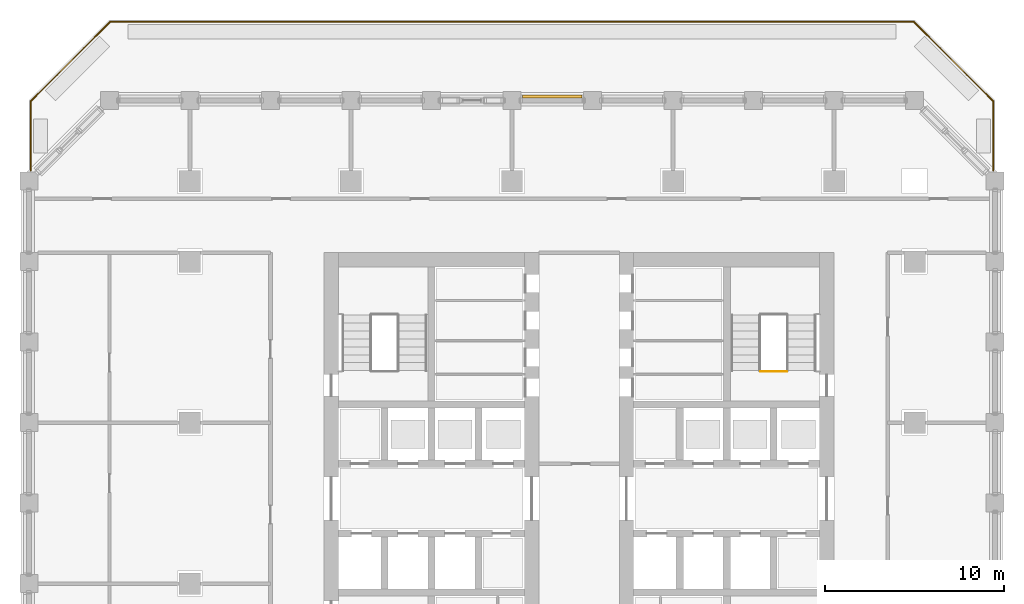
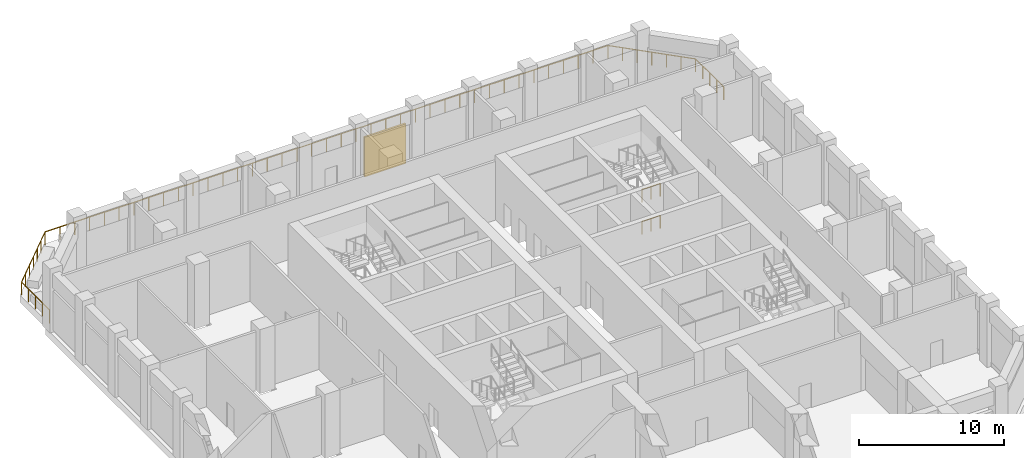
# One storey, part 17 of 20: 3 railings, 1 shading device.
"""IFC4 building model written with IfcOpenShell, lengths in metres."""

from ifc_helpers import new_model, si_unit, direction, frame, origin, origin_2d, place, context, subcontext, project, spatial, rectangle, circle, extrude, material, layer, layer_set, type_object, element, save


model = new_model("IFC4")

# Units and contexts
model_context = context("Model", 3, precision=1e-05, world=origin(), true_north=direction((0.0, 1.0)))
body_context = subcontext(model_context, "Body", "Model", "MODEL_VIEW")
ifc_project = project(units=[si_unit("LENGTHUNIT", "METRE"), si_unit("AREAUNIT", "SQUARE_METRE"), si_unit("VOLUMEUNIT", "CUBIC_METRE"), si_unit("PLANEANGLEUNIT", "RADIAN"), si_unit("MASSUNIT", "GRAM", prefix="KILO")], contexts=[model_context])

# Site, building, storey
site_placement = place(None, origin())
site = spatial("IfcSite", under=ifc_project, at=site_placement, CompositionType="ELEMENT")
building_placement = place(site_placement, origin())
building = spatial("IfcBuilding", under=site, at=building_placement, Name="Corbel Stack Research Tower", CompositionType="ELEMENT")
storey_placement = place(building_placement, frame((0.0, 0.0, 151.39990234375)))
storey = spatial("IfcBuildingStorey", under=building, at=storey_placement, Name="L34", CompositionType="ELEMENT", Elevation=151.39990234375)

# Shading device
ifc_material_1 = material(Name="Aluminium louvre", Category="aluminium")
ifc_layer = layer(ifc_material_1, 0.14990234375)
ifc_layer_set = layer_set([ifc_layer], Name="Aluminium louvre")
shading_device_type = type_object("IfcShadingDeviceType", Name="Plant louvre 150", PredefinedType="USERDEFINED", material=ifc_layer_set)
shading_device_placement = place(storey_placement, frame((2.25, 27.22509765625, 0.199951171875), z_axis=(0.0, 0.0, 1.0), x_axis=(-1.0, 0.0, 0.0)))
element("IfcShadingDevice", 1, at=shading_device_placement, inside=storey, type_object=shading_device_type, Name="Plant louvre L34 N05", ObjectType="LOUVRE", PredefinedType="USERDEFINED", context=body_context, shape_type="SweptSolid", body=[
    extrude(rectangle(XDim=3.300048828125, YDim=0.14990234375, at=origin_2d()), origin(), (0.0, 0.0, 1.0), 3.35009765625),
])

# Railings
ifc_material_2 = material(Name="Steel S355", Category="steel")
railing_type_1 = type_object("IfcRailingType", Name="Stair guard 1100", PredefinedType="GUARDRAIL", material=ifc_material_2)
for number, where, name in (
    (2, (15.35009765625, 11.85009765625, 2.7001953125), "L34 ST-E2 stair guard 5"),
    (3, (15.35009765625, 11.85009765625, 0.0), "L34 ST-E2 stair guard 11"),
):
    element("IfcRailing", number, at=place(storey_placement, frame(where)), inside=storey, type_object=railing_type_1, Name=name, PredefinedType="GUARDRAIL", context=body_context, shape_type="SweptSolid", body=[
        extrude(circle(Radius=0.02392578125, at=origin_2d()), frame((0.0, 0.0, 1.076171875), z_axis=(-1.0, 0.0, 0.0), x_axis=(0.0, -1.0, 0.0)), (0.0, 0.0, 1.0), 1.4501953125),
        extrude(circle(Radius=0.02099609375, at=origin_2d()), origin(), (0.0, 0.0, 1.0), 1.052001953125),
        extrude(circle(Radius=0.02099609375, at=origin_2d()), frame((-0.72509765625, 0.0, 0.0)), (0.0, 0.0, 1.0), 1.052001953125),
        extrude(circle(Radius=0.02099609375, at=origin_2d()), frame((-1.4501953125, 0.0, 0.0)), (0.0, 0.0, 1.0), 1.052001953125),
    ])
ifc_material_3 = material(Name="Powder-coated steel guard", Category="steel")
railing_type_2 = type_object("IfcRailingType", Name="Steel and glass guard 1100", PredefinedType="GUARDRAIL", material=ifc_material_3)
railing_placement = place(storey_placement, frame((-26.89990234375, 23.07421875, 0.0)))
element("IfcRailing", 4, at=railing_placement, inside=storey, type_object=railing_type_2, Name="Terrace guard L34", PredefinedType="GUARDRAIL", context=body_context, shape_type="SweptSolid", body=[
    extrude(circle(Radius=0.02392578125, at=origin_2d()), frame((0.0, 0.0, 1.076171875), z_axis=(0.0, 1.0, 0.0), x_axis=(-1.0, 0.0, 0.0)), (0.0, 0.0, 1.0), 3.88427734375),
    extrude(circle(Radius=0.02392578125, at=origin_2d()), frame((0.0, 3.88427734375, 1.076171875), z_axis=(0.707106781187, 0.707106781187, 0.0), x_axis=(-0.707106781187, 0.707106781187, 0.0)), (0.0, 0.0, 1.0), 6.281005859375),
    extrude(circle(Radius=0.02392578125, at=origin_2d()), frame((4.44140625, 8.32568359375, 1.076171875), z_axis=(1.0, 0.0, 0.0), x_axis=(0.0, 1.0, 0.0)), (0.0, 0.0, 1.0), 44.9169921875),
    extrude(circle(Radius=0.02392578125, at=origin_2d()), frame((49.3583984375, 8.32568359375, 1.076171875), z_axis=(0.707106781187, -0.707106781187, 0.0), x_axis=(0.707106781187, 0.707106781187, 0.0)), (0.0, 0.0, 1.0), 6.281005859375),
    extrude(circle(Radius=0.02392578125, at=origin_2d()), frame((53.7998046875, 3.88427734375, 1.076171875), z_axis=(0.0, -1.0, 0.0), x_axis=(1.0, 0.0, 0.0)), (0.0, 0.0, 1.0), 3.88427734375),
    extrude(circle(Radius=0.02099609375, at=origin_2d()), origin(), (0.0, 0.0, 1.0), 1.052001953125),
    extrude(circle(Radius=0.02099609375, at=origin_2d()), frame((0.0, 0.97119140625, 0.0)), (0.0, 0.0, 1.0), 1.052001953125),
    extrude(circle(Radius=0.02099609375, at=origin_2d()), frame((0.0, 1.942138671875, 0.0)), (0.0, 0.0, 1.0), 1.052001953125),
    extrude(circle(Radius=0.02099609375, at=origin_2d()), frame((0.0, 2.9130859375, 0.0)), (0.0, 0.0, 1.0), 1.052001953125),
    extrude(circle(Radius=0.02099609375, at=origin_2d()), frame((0.0, 3.88427734375, 0.0)), (0.0, 0.0, 1.0), 1.052001953125),
    extrude(circle(Radius=0.02099609375, at=origin_2d()), frame((0.740234375, 4.62451171875, 0.0)), (0.0, 0.0, 1.0), 1.052001953125),
    extrude(circle(Radius=0.02099609375, at=origin_2d()), frame((1.48046875, 5.36474609375, 0.0)), (0.0, 0.0, 1.0), 1.052001953125),
    extrude(circle(Radius=0.02099609375, at=origin_2d()), frame((2.220703125, 6.10498046875, 0.0)), (0.0, 0.0, 1.0), 1.052001953125),
    extrude(circle(Radius=0.02099609375, at=origin_2d()), frame((2.9609375, 6.84521484375, 0.0)), (0.0, 0.0, 1.0), 1.052001953125),
    extrude(circle(Radius=0.02099609375, at=origin_2d()), frame((3.701171875, 7.58544921875, 0.0)), (0.0, 0.0, 1.0), 1.052001953125),
    extrude(circle(Radius=0.02099609375, at=origin_2d()), frame((4.44140625, 8.32568359375, 0.0)), (0.0, 0.0, 1.0), 1.052001953125),
    extrude(circle(Radius=0.02099609375, at=origin_2d()), frame((5.62353515625, 8.32568359375, 0.0)), (0.0, 0.0, 1.0), 1.052001953125),
    extrude(circle(Radius=0.02099609375, at=origin_2d()), frame((6.805419921875, 8.32568359375, 0.0)), (0.0, 0.0, 1.0), 1.052001953125),
    extrude(circle(Radius=0.02099609375, at=origin_2d()), frame((7.987548828125, 8.32568359375, 0.0)), (0.0, 0.0, 1.0), 1.052001953125),
    extrude(circle(Radius=0.02099609375, at=origin_2d()), frame((9.16943359375, 8.32568359375, 0.0)), (0.0, 0.0, 1.0), 1.052001953125),
    extrude(circle(Radius=0.02099609375, at=origin_2d()), frame((10.3515625, 8.32568359375, 0.0)), (0.0, 0.0, 1.0), 1.052001953125),
    extrude(circle(Radius=0.02099609375, at=origin_2d()), frame((11.533447265625, 8.32568359375, 0.0)), (0.0, 0.0, 1.0), 1.052001953125),
    extrude(circle(Radius=0.02099609375, at=origin_2d()), frame((12.715576171875, 8.32568359375, 0.0)), (0.0, 0.0, 1.0), 1.052001953125),
    extrude(circle(Radius=0.02099609375, at=origin_2d()), frame((13.897705078125, 8.32568359375, 0.0)), (0.0, 0.0, 1.0), 1.052001953125),
    extrude(circle(Radius=0.02099609375, at=origin_2d()), frame((15.07958984375, 8.32568359375, 0.0)), (0.0, 0.0, 1.0), 1.052001953125),
    extrude(circle(Radius=0.02099609375, at=origin_2d()), frame((16.26171875, 8.32568359375, 0.0)), (0.0, 0.0, 1.0), 1.052001953125),
    extrude(circle(Radius=0.02099609375, at=origin_2d()), frame((17.443603515625, 8.32568359375, 0.0)), (0.0, 0.0, 1.0), 1.052001953125),
    extrude(circle(Radius=0.02099609375, at=origin_2d()), frame((18.625732421875, 8.32568359375, 0.0)), (0.0, 0.0, 1.0), 1.052001953125),
    extrude(circle(Radius=0.02099609375, at=origin_2d()), frame((19.807861328125, 8.32568359375, 0.0)), (0.0, 0.0, 1.0), 1.052001953125),
    extrude(circle(Radius=0.02099609375, at=origin_2d()), frame((20.98974609375, 8.32568359375, 0.0)), (0.0, 0.0, 1.0), 1.052001953125),
    extrude(circle(Radius=0.02099609375, at=origin_2d()), frame((22.171875, 8.32568359375, 0.0)), (0.0, 0.0, 1.0), 1.052001953125),
    extrude(circle(Radius=0.02099609375, at=origin_2d()), frame((23.353759765625, 8.32568359375, 0.0)), (0.0, 0.0, 1.0), 1.052001953125),
    extrude(circle(Radius=0.02099609375, at=origin_2d()), frame((24.535888671875, 8.32568359375, 0.0)), (0.0, 0.0, 1.0), 1.052001953125),
    extrude(circle(Radius=0.02099609375, at=origin_2d()), frame((25.7177734375, 8.32568359375, 0.0)), (0.0, 0.0, 1.0), 1.052001953125),
    extrude(circle(Radius=0.02099609375, at=origin_2d()), frame((26.89990234375, 8.32568359375, 0.0)), (0.0, 0.0, 1.0), 1.052001953125),
    extrude(circle(Radius=0.02099609375, at=origin_2d()), frame((28.08203125, 8.32568359375, 0.0)), (0.0, 0.0, 1.0), 1.052001953125),
    extrude(circle(Radius=0.02099609375, at=origin_2d()), frame((29.263916015625, 8.32568359375, 0.0)), (0.0, 0.0, 1.0), 1.052001953125),
    extrude(circle(Radius=0.02099609375, at=origin_2d()), frame((30.446044921875, 8.32568359375, 0.0)), (0.0, 0.0, 1.0), 1.052001953125),
    extrude(circle(Radius=0.02099609375, at=origin_2d()), frame((31.6279296875, 8.32568359375, 0.0)), (0.0, 0.0, 1.0), 1.052001953125),
    extrude(circle(Radius=0.02099609375, at=origin_2d()), frame((32.81005859375, 8.32568359375, 0.0)), (0.0, 0.0, 1.0), 1.052001953125),
    extrude(circle(Radius=0.02099609375, at=origin_2d()), frame((33.991943359375, 8.32568359375, 0.0)), (0.0, 0.0, 1.0), 1.052001953125),
    extrude(circle(Radius=0.02099609375, at=origin_2d()), frame((35.174072265625, 8.32568359375, 0.0)), (0.0, 0.0, 1.0), 1.052001953125),
    extrude(circle(Radius=0.02099609375, at=origin_2d()), frame((36.356201171875, 8.32568359375, 0.0)), (0.0, 0.0, 1.0), 1.052001953125),
    extrude(circle(Radius=0.02099609375, at=origin_2d()), frame((37.5380859375, 8.32568359375, 0.0)), (0.0, 0.0, 1.0), 1.052001953125),
    extrude(circle(Radius=0.02099609375, at=origin_2d()), frame((38.72021484375, 8.32568359375, 0.0)), (0.0, 0.0, 1.0), 1.052001953125),
    extrude(circle(Radius=0.02099609375, at=origin_2d()), frame((39.902099609375, 8.32568359375, 0.0)), (0.0, 0.0, 1.0), 1.052001953125),
    extrude(circle(Radius=0.02099609375, at=origin_2d()), frame((41.084228515625, 8.32568359375, 0.0)), (0.0, 0.0, 1.0), 1.052001953125),
    extrude(circle(Radius=0.02099609375, at=origin_2d()), frame((42.266357421875, 8.32568359375, 0.0)), (0.0, 0.0, 1.0), 1.052001953125),
    extrude(circle(Radius=0.02099609375, at=origin_2d()), frame((43.4482421875, 8.32568359375, 0.0)), (0.0, 0.0, 1.0), 1.052001953125),
    extrude(circle(Radius=0.02099609375, at=origin_2d()), frame((44.63037109375, 8.32568359375, 0.0)), (0.0, 0.0, 1.0), 1.052001953125),
    extrude(circle(Radius=0.02099609375, at=origin_2d()), frame((45.812255859375, 8.32568359375, 0.0)), (0.0, 0.0, 1.0), 1.052001953125),
    extrude(circle(Radius=0.02099609375, at=origin_2d()), frame((46.994384765625, 8.32568359375, 0.0)), (0.0, 0.0, 1.0), 1.052001953125),
    extrude(circle(Radius=0.02099609375, at=origin_2d()), frame((48.17626953125, 8.32568359375, 0.0)), (0.0, 0.0, 1.0), 1.052001953125),
    extrude(circle(Radius=0.02099609375, at=origin_2d()), frame((49.3583984375, 8.32568359375, 0.0)), (0.0, 0.0, 1.0), 1.052001953125),
    extrude(circle(Radius=0.02099609375, at=origin_2d()), frame((50.0986328125, 7.58544921875, 0.0)), (0.0, 0.0, 1.0), 1.052001953125),
    extrude(circle(Radius=0.02099609375, at=origin_2d()), frame((50.8388671875, 6.84521484375, 0.0)), (0.0, 0.0, 1.0), 1.052001953125),
    extrude(circle(Radius=0.02099609375, at=origin_2d()), frame((51.5791015625, 6.10498046875, 0.0)), (0.0, 0.0, 1.0), 1.052001953125),
    extrude(circle(Radius=0.02099609375, at=origin_2d()), frame((52.3193359375, 5.36474609375, 0.0)), (0.0, 0.0, 1.0), 1.052001953125),
    extrude(circle(Radius=0.02099609375, at=origin_2d()), frame((53.0595703125, 4.62451171875, 0.0)), (0.0, 0.0, 1.0), 1.052001953125),
    extrude(circle(Radius=0.02099609375, at=origin_2d()), frame((53.7998046875, 3.88427734375, 0.0)), (0.0, 0.0, 1.0), 1.052001953125),
    extrude(circle(Radius=0.02099609375, at=origin_2d()), frame((53.7998046875, 2.9130859375, 0.0)), (0.0, 0.0, 1.0), 1.052001953125),
    extrude(circle(Radius=0.02099609375, at=origin_2d()), frame((53.7998046875, 1.942138671875, 0.0)), (0.0, 0.0, 1.0), 1.052001953125),
    extrude(circle(Radius=0.02099609375, at=origin_2d()), frame((53.7998046875, 0.97119140625, 0.0)), (0.0, 0.0, 1.0), 1.052001953125),
    extrude(circle(Radius=0.02099609375, at=origin_2d()), frame((53.7998046875, 0.0, 0.0)), (0.0, 0.0, 1.0), 1.052001953125),
])

save(model, "model.ifc")
